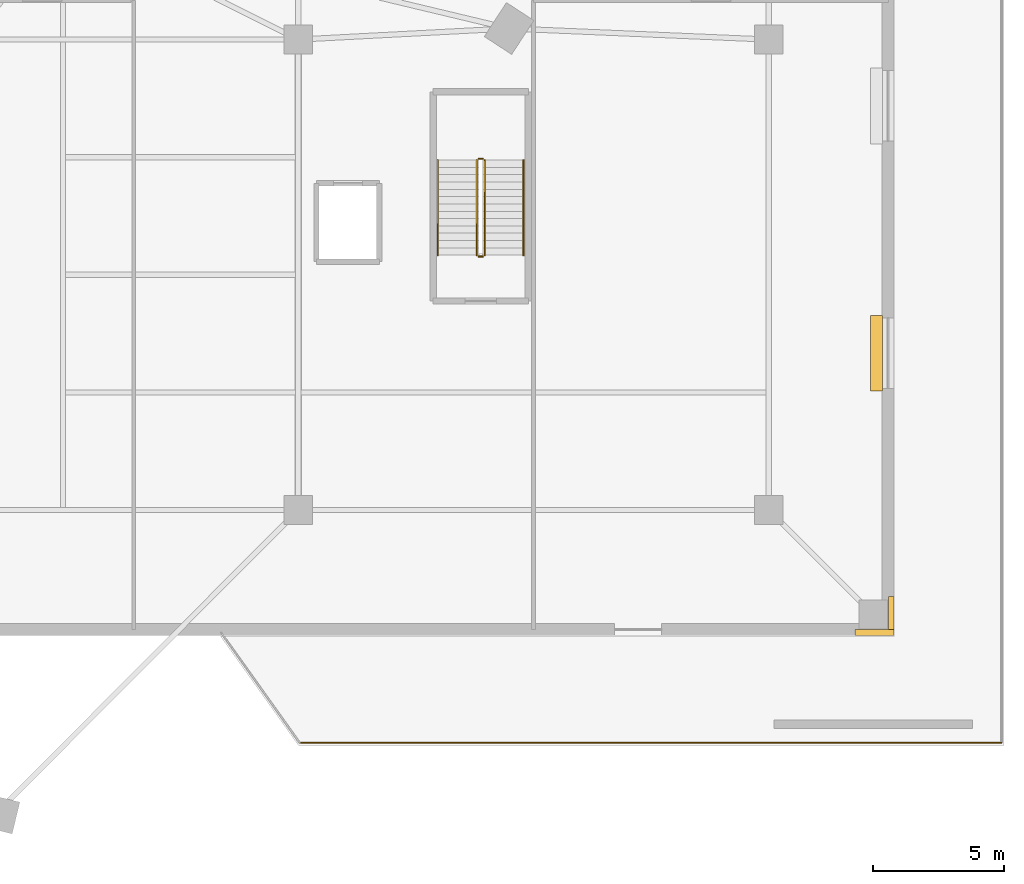
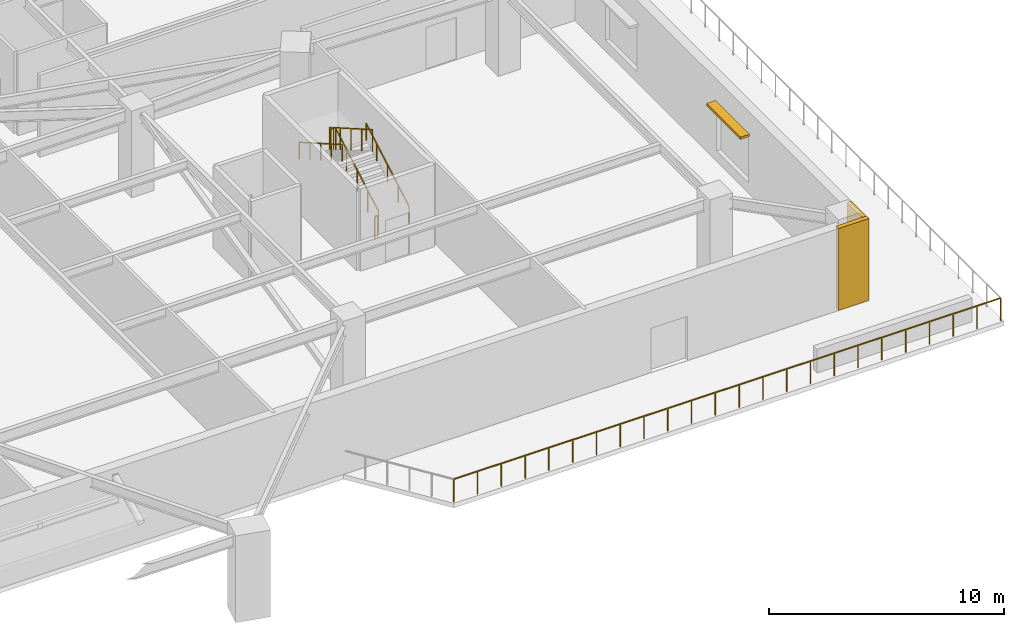
# One storey, part 18 of 19: 7 railings, 2 coverings, 1 shading device.
"""IFC4 building model written with IfcOpenShell, lengths in metres."""

from ifc_helpers import new_model, si_unit, direction, frame, origin, origin_2d, place, context, subcontext, project, spatial, rectangle, extrude, source, transform, mapped, material, layer, layer_set, material_profile, profile_set, type_object, element, save


model = new_model("IFC4")

# Units and contexts
model_context = context("Model", 3, precision=1e-05, world=origin(), true_north=direction((0.0, 1.0)))
body_context = subcontext(model_context, "Body", "Model", "MODEL_VIEW")
ifc_project = project(units=[si_unit("LENGTHUNIT", "METRE"), si_unit("AREAUNIT", "SQUARE_METRE"), si_unit("VOLUMEUNIT", "CUBIC_METRE"), si_unit("PLANEANGLEUNIT", "RADIAN"), si_unit("MASSUNIT", "GRAM", prefix="KILO")], contexts=[model_context])

# Site, building, storey
site_placement = place(None, origin())
site = spatial("IfcSite", under=ifc_project, at=site_placement, CompositionType="ELEMENT")
building_placement = place(site_placement, origin())
building = spatial("IfcBuilding", under=site, at=building_placement, Name="Liaohun Quay Tower", CompositionType="ELEMENT")
storey_placement = place(building_placement, frame((0.0, 0.0, 9.89990234375)))
storey = spatial("IfcBuildingStorey", under=building, at=storey_placement, Name="L03", CompositionType="ELEMENT", Elevation=9.89990234375)

# Railings
ifc_material_1 = material(Name="Galvanised and powder-coated steel", Category="steel")
railing_type_1 = type_object("IfcRailingType", Name="RLG-GUARD-EXT", PredefinedType="GUARDRAIL", material=ifc_material_1)
railing_1_placement = place(storey_placement, frame((104.89990234375, 15.10009765625, 0.0)))
element("IfcRailing", 1, at=railing_1_placement, inside=storey, type_object=railing_type_1, Name="L03 Stepped Podium Terrace Guardrail 03", PredefinedType="GUARDRAIL", context=body_context, shape_type="SweptSolid", body=[
    extrude(rectangle(XDim=0.048095703125, YDim=0.048095703125, at=origin_2d()), frame((0.0, 0.0, 1.17578125), z_axis=(-1.0, 0.0, 0.0), x_axis=(0.0, -1.0, 0.0)), (0.0, 0.0, 1.0), 26.848876953125),
    extrude(rectangle(XDim=0.0419921875, YDim=0.0419921875, at=origin_2d()), origin(), (0.0, 0.0, 1.0), 1.15185546875),
    extrude(rectangle(XDim=0.0419921875, YDim=0.0419921875, at=origin_2d()), frame((-1.167236328125, 0.0, 0.0)), (0.0, 0.0, 1.0), 1.15185546875),
    extrude(rectangle(XDim=0.0419921875, YDim=0.0419921875, at=origin_2d()), frame((-2.334716796875, 0.0, 0.0)), (0.0, 0.0, 1.0), 1.15185546875),
    extrude(rectangle(XDim=0.0419921875, YDim=0.0419921875, at=origin_2d()), frame((-3.501953125, 0.0, 0.0)), (0.0, 0.0, 1.0), 1.15185546875),
    extrude(rectangle(XDim=0.0419921875, YDim=0.0419921875, at=origin_2d()), frame((-4.66943359375, 0.0, 0.0)), (0.0, 0.0, 1.0), 1.15185546875),
    extrude(rectangle(XDim=0.0419921875, YDim=0.0419921875, at=origin_2d()), frame((-5.836669921875, 0.0, 0.0)), (0.0, 0.0, 1.0), 1.15185546875),
    extrude(rectangle(XDim=0.0419921875, YDim=0.0419921875, at=origin_2d()), frame((-7.004150390625, 0.0, 0.0)), (0.0, 0.0, 1.0), 1.15185546875),
    extrude(rectangle(XDim=0.0419921875, YDim=0.0419921875, at=origin_2d()), frame((-8.17138671875, 0.0, 0.0)), (0.0, 0.0, 1.0), 1.15185546875),
    extrude(rectangle(XDim=0.0419921875, YDim=0.0419921875, at=origin_2d()), frame((-9.338623046875, 0.0, 0.0)), (0.0, 0.0, 1.0), 1.15185546875),
    extrude(rectangle(XDim=0.0419921875, YDim=0.0419921875, at=origin_2d()), frame((-10.506103515625, 0.0, 0.0)), (0.0, 0.0, 1.0), 1.15185546875),
    extrude(rectangle(XDim=0.0419921875, YDim=0.0419921875, at=origin_2d()), frame((-11.67333984375, 0.0, 0.0)), (0.0, 0.0, 1.0), 1.15185546875),
    extrude(rectangle(XDim=0.0419921875, YDim=0.0419921875, at=origin_2d()), frame((-12.8408203125, 0.0, 0.0)), (0.0, 0.0, 1.0), 1.15185546875),
    extrude(rectangle(XDim=0.0419921875, YDim=0.0419921875, at=origin_2d()), frame((-14.008056640625, 0.0, 0.0)), (0.0, 0.0, 1.0), 1.15185546875),
    extrude(rectangle(XDim=0.0419921875, YDim=0.0419921875, at=origin_2d()), frame((-15.175537109375, 0.0, 0.0)), (0.0, 0.0, 1.0), 1.15185546875),
    extrude(rectangle(XDim=0.0419921875, YDim=0.0419921875, at=origin_2d()), frame((-16.3427734375, 0.0, 0.0)), (0.0, 0.0, 1.0), 1.15185546875),
    extrude(rectangle(XDim=0.0419921875, YDim=0.0419921875, at=origin_2d()), frame((-17.51025390625, 0.0, 0.0)), (0.0, 0.0, 1.0), 1.15185546875),
    extrude(rectangle(XDim=0.0419921875, YDim=0.0419921875, at=origin_2d()), frame((-18.677490234375, 0.0, 0.0)), (0.0, 0.0, 1.0), 1.15185546875),
    extrude(rectangle(XDim=0.0419921875, YDim=0.0419921875, at=origin_2d()), frame((-19.8447265625, 0.0, 0.0)), (0.0, 0.0, 1.0), 1.15185546875),
    extrude(rectangle(XDim=0.0419921875, YDim=0.0419921875, at=origin_2d()), frame((-21.01220703125, 0.0, 0.0)), (0.0, 0.0, 1.0), 1.15185546875),
    extrude(rectangle(XDim=0.0419921875, YDim=0.0419921875, at=origin_2d()), frame((-22.179443359375, 0.0, 0.0)), (0.0, 0.0, 1.0), 1.15185546875),
    extrude(rectangle(XDim=0.0419921875, YDim=0.0419921875, at=origin_2d()), frame((-23.346923828125, 0.0, 0.0)), (0.0, 0.0, 1.0), 1.15185546875),
    extrude(rectangle(XDim=0.0419921875, YDim=0.0419921875, at=origin_2d()), frame((-24.51416015625, 0.0, 0.0)), (0.0, 0.0, 1.0), 1.15185546875),
    extrude(rectangle(XDim=0.0419921875, YDim=0.0419921875, at=origin_2d()), frame((-25.681640625, 0.0, 0.0)), (0.0, 0.0, 1.0), 1.15185546875),
    extrude(rectangle(XDim=0.0419921875, YDim=0.0419921875, at=origin_2d()), frame((-26.848876953125, 0.0, 0.0)), (0.0, 0.0, 1.0), 1.15185546875),
])
ifc_material_2 = material(Name="Painted tubular steel", Category="steel")
railing_type_2 = type_object("IfcRailingType", Name="RLG-GUARD-STR", PredefinedType="GUARDRAIL", material=ifc_material_2)
railing_2_placement = place(storey_placement, frame((85.1298828125, 33.75, 0.160888671875)))
element("IfcRailing", 2, at=railing_2_placement, inside=storey, type_object=railing_type_2, Name="L03 ST-P2 stair guard 1", PredefinedType="GUARDRAIL", context=body_context, shape_type="SweptSolid", body=[
    extrude(rectangle(XDim=0.048095703125, YDim=0.048095703125, at=origin_2d()), frame((0.0, 0.0, 1.1259765625), z_axis=(0.0, 0.867300072446, 0.497785681127), x_axis=(-1.0, 0.0, 0.0)), (0.0, 0.0, 1.0), 4.19677734375),
    extrude(rectangle(XDim=0.0419921875, YDim=0.0419921875, at=origin_2d()), origin(), (0.0, 0.0, 1.0), 1.101806640625),
    extrude(rectangle(XDim=0.0419921875, YDim=0.0419921875, at=origin_2d()), frame((0.0, 0.909912109375, 0.522216796875)), (0.0, 0.0, 1.0), 1.101806640625),
    extrude(rectangle(XDim=0.0419921875, YDim=0.0419921875, at=origin_2d()), frame((0.0, 1.81982421875, 1.04443359375)), (0.0, 0.0, 1.0), 1.101806640625),
    extrude(rectangle(XDim=0.0419921875, YDim=0.0419921875, at=origin_2d()), frame((0.0, 2.72998046875, 1.56689453125)), (0.0, 0.0, 1.0), 1.101806640625),
    extrude(rectangle(XDim=0.0419921875, YDim=0.0419921875, at=origin_2d()), frame((0.0, 3.639892578125, 2.089111328125)), (0.0, 0.0, 1.0), 1.101806640625),
])
railing_3_placement = place(storey_placement, frame((85.050048828125, 37.43994140625, 2.25)))
element("IfcRailing", 3, at=railing_3_placement, inside=storey, type_object=railing_type_2, Name="L03 ST-P2 stair guard 2", PredefinedType="GUARDRAIL", context=body_context, shape_type="SweptSolid", body=[
    extrude(rectangle(XDim=0.048095703125, YDim=0.048095703125, at=origin_2d()), frame((0.0, 0.0, 1.1259765625), z_axis=(-1.0, 0.0, 0.0), x_axis=(0.0, -1.0, 0.0)), (0.0, 0.0, 1.0), 0.14013671875),
    extrude(rectangle(XDim=0.0419921875, YDim=0.0419921875, at=origin_2d()), origin(), (0.0, 0.0, 1.0), 1.101806640625),
    extrude(rectangle(XDim=0.0419921875, YDim=0.0419921875, at=origin_2d()), frame((-0.14013671875, 0.0, 0.0)), (0.0, 0.0, 1.0), 1.101806640625),
])
railing_4_placement = place(storey_placement, frame((84.830078125, 37.389892578125, 2.410888671875)))
element("IfcRailing", 4, at=railing_4_placement, inside=storey, type_object=railing_type_2, Name="L03 ST-P2 stair guard 3", PredefinedType="GUARDRAIL", context=body_context, shape_type="SweptSolid", body=[
    extrude(rectangle(XDim=0.048095703125, YDim=0.048095703125, at=origin_2d()), frame((0.0, 0.0, 1.1259765625), z_axis=(0.0, -0.867300072446, 0.497785681127), x_axis=(1.0, 0.0, 0.0)), (0.0, 0.0, 1.0), 4.19677734375),
    extrude(rectangle(XDim=0.0419921875, YDim=0.0419921875, at=origin_2d()), origin(), (0.0, 0.0, 1.0), 1.101806640625),
    extrude(rectangle(XDim=0.0419921875, YDim=0.0419921875, at=origin_2d()), frame((0.0, -0.909912109375, 0.522216796875)), (0.0, 0.0, 1.0), 1.101806640625),
    extrude(rectangle(XDim=0.0419921875, YDim=0.0419921875, at=origin_2d()), frame((0.0, -1.81982421875, 1.04443359375)), (0.0, 0.0, 1.0), 1.101806640625),
    extrude(rectangle(XDim=0.0419921875, YDim=0.0419921875, at=origin_2d()), frame((0.0, -2.72998046875, 1.56689453125)), (0.0, 0.0, 1.0), 1.101806640625),
    extrude(rectangle(XDim=0.0419921875, YDim=0.0419921875, at=origin_2d()), frame((0.0, -3.639892578125, 2.089111328125)), (0.0, 0.0, 1.0), 1.101806640625),
])
railing_5_placement = place(storey_placement, frame((85.050048828125, 33.699951171875, 0.0)))
element("IfcRailing", 5, at=railing_5_placement, inside=storey, type_object=railing_type_2, Name="L03 ST-P2 stair guard 4", PredefinedType="GUARDRAIL", context=body_context, shape_type="SweptSolid", body=[
    extrude(rectangle(XDim=0.048095703125, YDim=0.048095703125, at=origin_2d()), frame((0.0, 0.0, 1.1259765625), z_axis=(-1.0, 0.0, 0.0), x_axis=(0.0, -1.0, 0.0)), (0.0, 0.0, 1.0), 0.14013671875),
    extrude(rectangle(XDim=0.0419921875, YDim=0.0419921875, at=origin_2d()), origin(), (0.0, 0.0, 1.0), 1.101806640625),
    extrude(rectangle(XDim=0.0419921875, YDim=0.0419921875, at=origin_2d()), frame((-0.14013671875, 0.0, 0.0)), (0.0, 0.0, 1.0), 1.101806640625),
])
ifc_material_3 = material(Name="Brushed stainless steel", Category="steel")
railing_type_3 = type_object("IfcRailingType", Name="RLG-HND-STR", PredefinedType="HANDRAIL", material=ifc_material_3)
railing_6_placement = place(storey_placement, frame((86.6201171875, 33.75, 0.160888671875)))
element("IfcRailing", 6, at=railing_6_placement, inside=storey, type_object=railing_type_3, Name="L03 ST-P2 stair handrail 1", PredefinedType="HANDRAIL", context=body_context, shape_type="SweptSolid", body=[
    extrude(rectangle(XDim=0.048095703125, YDim=0.048095703125, at=origin_2d()), frame((0.0, 0.0, 0.8759765625), z_axis=(0.0, 0.867300072446, 0.497785681127), x_axis=(-1.0, 0.0, 0.0)), (0.0, 0.0, 1.0), 4.19677734375),
    extrude(rectangle(XDim=0.0419921875, YDim=0.0419921875, at=origin_2d()), origin(), (0.0, 0.0, 1.0), 0.851806640625),
    extrude(rectangle(XDim=0.0419921875, YDim=0.0419921875, at=origin_2d()), frame((0.0, 0.909912109375, 0.522216796875)), (0.0, 0.0, 1.0), 0.851806640625),
    extrude(rectangle(XDim=0.0419921875, YDim=0.0419921875, at=origin_2d()), frame((0.0, 1.81982421875, 1.04443359375)), (0.0, 0.0, 1.0), 0.851806640625),
    extrude(rectangle(XDim=0.0419921875, YDim=0.0419921875, at=origin_2d()), frame((0.0, 2.72998046875, 1.56689453125)), (0.0, 0.0, 1.0), 0.851806640625),
    extrude(rectangle(XDim=0.0419921875, YDim=0.0419921875, at=origin_2d()), frame((0.0, 3.639892578125, 2.089111328125)), (0.0, 0.0, 1.0), 0.851806640625),
])
railing_7_placement = place(storey_placement, frame((83.340087890625, 37.389892578125, 2.410888671875)))
element("IfcRailing", 7, at=railing_7_placement, inside=storey, type_object=railing_type_3, Name="L03 ST-P2 stair handrail 2", PredefinedType="HANDRAIL", context=body_context, shape_type="SweptSolid", body=[
    extrude(rectangle(XDim=0.048095703125, YDim=0.048095703125, at=origin_2d()), frame((0.0, 0.0, 0.8759765625), z_axis=(0.0, -0.867300072446, 0.497785681127), x_axis=(1.0, 0.0, 0.0)), (0.0, 0.0, 1.0), 4.19677734375),
    extrude(rectangle(XDim=0.0419921875, YDim=0.0419921875, at=origin_2d()), origin(), (0.0, 0.0, 1.0), 0.851806640625),
    extrude(rectangle(XDim=0.0419921875, YDim=0.0419921875, at=origin_2d()), frame((0.0, -0.909912109375, 0.522216796875)), (0.0, 0.0, 1.0), 0.851806640625),
    extrude(rectangle(XDim=0.0419921875, YDim=0.0419921875, at=origin_2d()), frame((0.0, -1.81982421875, 1.04443359375)), (0.0, 0.0, 1.0), 0.851806640625),
    extrude(rectangle(XDim=0.0419921875, YDim=0.0419921875, at=origin_2d()), frame((0.0, -2.72998046875, 1.56689453125)), (0.0, 0.0, 1.0), 0.851806640625),
    extrude(rectangle(XDim=0.0419921875, YDim=0.0419921875, at=origin_2d()), frame((0.0, -3.639892578125, 2.089111328125)), (0.0, 0.0, 1.0), 0.851806640625),
])

# Coverings
ifc_material_4 = material(Name="Bush-hammered Liaodong grey granite stone cladding", Category="masonry")
ifc_layer = layer(ifc_material_4, 0.0400390625, Name="Bush-hammered Liaodong grey granite stone cladding", Category="masonry")
ifc_layer_set = layer_set([ifc_layer], Name="Bush-hammered Liaodong grey granite stone cladding")
covering_type = type_object("IfcCoveringType", Name="COV-EXT-CLD", PredefinedType="CLADDING", material=ifc_layer_set)
shared_shape_1 = source(origin(), body_context, "Body", "SweptSolid", [
    extrude(rectangle(XDim=1.5, YDim=0.219970703125, at=origin_2d()), origin(), (0.0, 0.0, 1.0), 4.25),
])
covering_1_placement = place(storey_placement, frame((100.050048828125, 19.31005859375, 0.0), z_axis=(0.0, 0.0, 1.0), x_axis=(1.0, 0.0, 0.0)))
element("IfcCovering", 8, at=covering_1_placement, inside=storey, type_object=covering_type, Name="L03 Corner Granite Pier Cladding SE-X", PredefinedType="CLADDING", context=body_context, shape_type="MappedRepresentation", body=[
    mapped(shared_shape_1, transform((0.0, 0.0, 0.0), x_axis=(1.0, 0.0, 0.0), y_axis=(0.0, 1.0, 0.0), z_axis=(0.0, 0.0, 1.0), scale=1.0)),
])
shared_shape_2 = source(origin(), body_context, "Body", "SweptSolid", [
    extrude(rectangle(XDim=0.219970703125, YDim=1.280029296875, at=origin_2d()), origin(), (0.0, 0.0, 1.0), 4.25),
])
covering_2_placement = place(storey_placement, frame((100.68994140625, 20.06005859375, 0.0), z_axis=(0.0, 0.0, 1.0), x_axis=(1.0, 0.0, 0.0)))
element("IfcCovering", 9, at=covering_2_placement, inside=storey, type_object=covering_type, Name="L03 Corner Granite Pier Cladding SE-Y", PredefinedType="CLADDING", context=body_context, shape_type="MappedRepresentation", body=[
    mapped(shared_shape_2, transform((0.0, 0.0, 0.0), x_axis=(1.0, 0.0, 0.0), y_axis=(0.0, 1.0, 0.0), z_axis=(0.0, 0.0, 1.0), scale=1.0)),
])

# Shading device
ifc_material_5 = material(Name="Precast concrete C50", Category="concrete")
ifc_material_profile = material_profile(ifc_material_5, rectangle(XDim=0.449951171875, YDim=0.1201171875, at=origin_2d()), Name="PRC-SUN-450x120")
ifc_profile_set = profile_set([ifc_material_profile], Name="Precast concrete C50")
shading_device_type = type_object("IfcShadingDeviceType", Name="SHD-SUN-POD", PredefinedType="SHUTTER", material=ifc_profile_set)
shared_shape_3 = source(origin(), body_context, "Body", "SweptSolid", [
    extrude(rectangle(XDim=0.449951171875, YDim=0.1201171875, at=origin_2d()), origin(), (0.0, 0.0, 1.0), 2.89990234375),
])
shading_device_placement = place(storey_placement, frame((100.1201171875, 28.551025390625, 3.050048828125), z_axis=(0.0, 1.0, 0.0), x_axis=(-1.0, 0.0, 0.0)))
element("IfcShadingDevice", 10, at=shading_device_placement, inside=storey, type_object=shading_device_type, Name="L03 Precast Window Thermal Hood SN-1-01-01", PredefinedType="SHUTTER", context=body_context, shape_type="MappedRepresentation", body=[
    mapped(shared_shape_3, transform((0.0, 0.0, 0.0), x_axis=(1.0, 0.0, 0.0), y_axis=(0.0, 1.0, 0.0), z_axis=(0.0, 0.0, 1.0), scale=1.0)),
])

save(model, "model.ifc")
